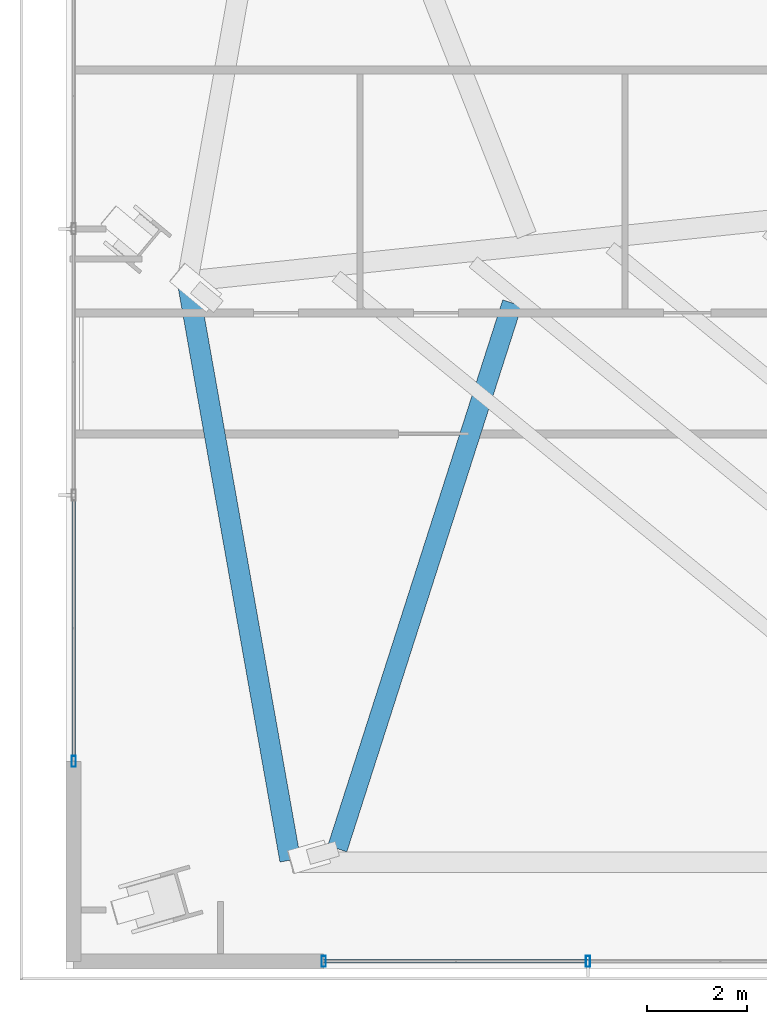
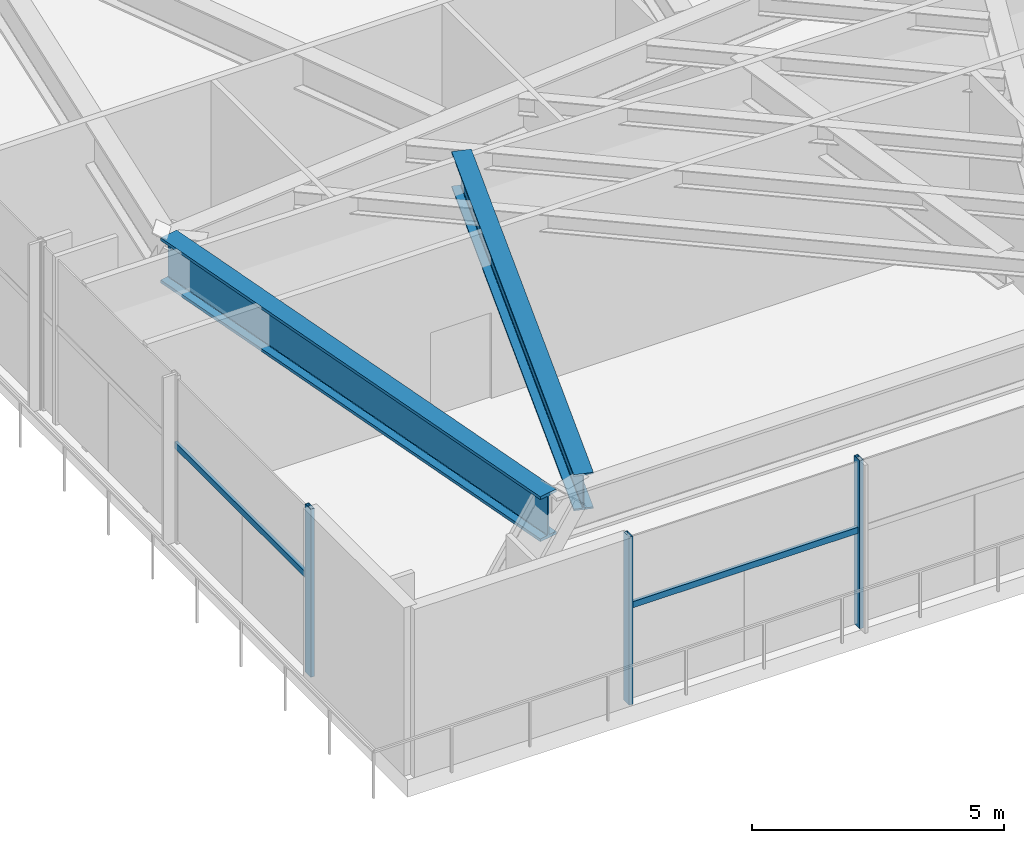
# One storey, part 2 of 29: 5 members, 2 beams, 2 elements without a shape of their own.
"""IFC4 building model written with IfcOpenShell, lengths in metres."""

import ifcopenshell
import ifcopenshell.guid

model = None  # the IFC model being written
_history = None  # IfcOwnerHistory: only IFC2X3 demands one
_inside = {}  # id of a spatial element -> (the spatial element, [elements in it])
_under = {}  # id of a project, library or spatial element -> (it, [spatial elements below it])
_declared = {}  # id of a project -> (the project, [libraries it declares])
_typed = {}  # id of a type object -> (the type object, [elements of that type])
_made_of = {}  # id of a material, layer set ... -> (it, [elements and type objects made of it])


def new_model(schema):
    """Start an empty IFC model of exactly this schema.

    Asked for "IFC4X3", IfcOpenShell would pick the latest addendum, in which some entities
    have other attributes; the version numbers below select the first issue.
    IFC2X3 requires an IfcOwnerHistory on every rooted entity: one is made here for all.
    """
    global model, _history
    if schema == "IFC4X3":
        model = ifcopenshell.file(schema_version=(4, 3, 0, 0))
    else:
        model = ifcopenshell.file(schema=schema)
    _inside.clear()
    _under.clear()
    _declared.clear()
    _typed.clear()
    _made_of.clear()
    _history = None
    if model.schema == "IFC2X3":
        org = make("IfcOrganization", Name="unknown")
        user = make(
            "IfcPersonAndOrganization",
            ThePerson=make("IfcPerson", FamilyName="unknown"),
            TheOrganization=org,
        )
        app = make(
            "IfcApplication",
            ApplicationDeveloper=org,
            Version="unknown",
            ApplicationFullName="unknown",
            ApplicationIdentifier="unknown",
        )
        _history = make(
            "IfcOwnerHistory",
            OwningUser=user,
            OwningApplication=app,
            ChangeAction="ADDED",
            CreationDate=0,
        )
    return model


def make(cls, **values):
    """One entity of the class cls with the attributes given. An attribute that is None is left unset."""
    return model.create_entity(
        cls, **{name: value for name, value in values.items() if value is not None}
    )


def rooted(cls, **values):
    """An entity with a GlobalId (a new one), such as an element, a storey or a relation."""
    return make(cls, GlobalId=ifcopenshell.guid.new(), OwnerHistory=_history, **values)


def si_unit(unit_type, name, prefix=None):
    """IfcSIUnit, for example si_unit("LENGTHUNIT", "METRE", prefix="MILLI")."""
    return make("IfcSIUnit", UnitType=unit_type, Prefix=prefix, Name=name)


def assignment(units):
    """IfcUnitAssignment: the units of a project."""
    return None if units is None else make("IfcUnitAssignment", Units=units)


def point(xyz):
    """IfcCartesianPoint."""
    return None if xyz is None else make("IfcCartesianPoint", Coordinates=xyz)


def direction(xyz):
    """IfcDirection."""
    return None if xyz is None else make("IfcDirection", DirectionRatios=xyz)


def frame(location, z_axis=None, x_axis=None):
    """IfcAxis2Placement3D, a coordinate frame: its origin and axes. An axis left out is left unset."""
    return make(
        "IfcAxis2Placement3D",
        Location=point(location),
        Axis=direction(z_axis),
        RefDirection=direction(x_axis),
    )


def frame_2d(location, x_axis=None):
    """IfcAxis2Placement2D, a coordinate frame in the plane: its origin and x axis."""
    return make(
        "IfcAxis2Placement2D", Location=point(location), RefDirection=direction(x_axis)
    )


def origin():
    """The frame at (0, 0, 0) with its axes left unset."""
    return frame((0.0, 0.0, 0.0))


def origin_2d():
    """The frame at (0, 0) in the plane with its x axis left unset."""
    return frame_2d((0.0, 0.0))


def place(relative_to, where):
    """IfcLocalPlacement: puts the frame where relative to a parent placement (None: the world)."""
    return make(
        "IfcLocalPlacement", PlacementRelTo=relative_to, RelativePlacement=where
    )


def context(
    kind, dimensions, precision=None, world=None, true_north=None, identifier=None
):
    """IfcGeometricRepresentationContext, for example the 3D "Model" context."""
    return make(
        "IfcGeometricRepresentationContext",
        ContextIdentifier=identifier,
        ContextType=kind,
        CoordinateSpaceDimension=dimensions,
        Precision=precision,
        WorldCoordinateSystem=world,
        TrueNorth=true_north,
    )


def subcontext(parent, identifier, kind, view, scale=None):
    """IfcGeometricRepresentationSubContext, for example "Body" below "Model"."""
    return make(
        "IfcGeometricRepresentationSubContext",
        ContextIdentifier=identifier,
        ContextType=kind,
        ParentContext=parent,
        TargetScale=scale,
        TargetView=view,
    )


def project(units=None, contexts=None):
    """IfcProject with its units and contexts."""
    return rooted(
        "IfcProject",
        Name="project",
        RepresentationContexts=contexts,
        UnitsInContext=assignment(units),
    )


def spatial(cls, under=None, at=None, **own):
    """A site, building, storey or space (cls), placed at a placement, below another one or the project."""
    s = rooted(cls, ObjectPlacement=at, **own)
    if under is not None:
        _under.setdefault(under.id(), (under, []))[1].append(s)
    return s


def profile(cls, at=None, kind="AREA", **sizes):
    """A parametric profile (cls). Its sizes go by their IFC names, for example OverallWidth=200.0."""
    return make(cls, ProfileType=kind, Position=at, **sizes)


def hollow_rectangle(**sizes):
    """IfcRectangleHollowProfileDef."""
    return profile("IfcRectangleHollowProfileDef", **sizes)


def i_section(**sizes):
    """IfcIShapeProfileDef."""
    return profile("IfcIShapeProfileDef", **sizes)


def extrude(swept, where, along, depth):
    """IfcExtrudedAreaSolid: the profile swept, set in the frame where, extruded along a direction by depth."""
    return make(
        "IfcExtrudedAreaSolid",
        SweptArea=swept,
        Position=where,
        ExtrudedDirection=direction(along),
        Depth=depth,
    )


def shape(context_of_items, identifier, shape_type, items):
    """IfcShapeRepresentation: the items that make up one representation, for example the "Body"."""
    return make(
        "IfcShapeRepresentation",
        ContextOfItems=context_of_items,
        RepresentationIdentifier=identifier,
        RepresentationType=shape_type,
        Items=items,
    )


def source(mapping_origin, context_of_items, identifier, shape_type, items):
    """IfcRepresentationMap: a shape defined once, which mapped items show again and again."""
    return make(
        "IfcRepresentationMap",
        MappingOrigin=mapping_origin,
        MappedRepresentation=shape(context_of_items, identifier, shape_type, items),
    )


def transform(
    local_origin,
    x_axis=None,
    y_axis=None,
    z_axis=None,
    scale=None,
    scale2=None,
    scale3=None,
    uniform=True,
):
    """IfcCartesianTransformationOperator3D, or its non-uniform kind. x_axis, y_axis, z_axis: its Axis1, 2, 3."""
    if uniform:
        return make(
            "IfcCartesianTransformationOperator3D",
            Axis1=direction(x_axis),
            Axis2=direction(y_axis),
            LocalOrigin=point(local_origin),
            Scale=scale,
            Axis3=direction(z_axis),
        )
    return make(
        "IfcCartesianTransformationOperator3DnonUniform",
        Axis1=direction(x_axis),
        Axis2=direction(y_axis),
        LocalOrigin=point(local_origin),
        Scale=scale,
        Axis3=direction(z_axis),
        Scale2=scale2,
        Scale3=scale3,
    )


def mapped(mapping_source, mapping_target):
    """IfcMappedItem: shows the shape of a source again, moved by a transform."""
    return make(
        "IfcMappedItem", MappingSource=mapping_source, MappingTarget=mapping_target
    )


def material(Name=None, Category=None):
    """IfcMaterial."""
    return make("IfcMaterial", Name=Name, Category=Category)


def material_profile(
    of_material, cross_section, Name=None, Category=None, Priority=None
):
    """IfcMaterialProfile: a cross section and its material."""
    return make(
        "IfcMaterialProfile",
        Name=Name,
        Material=of_material,
        Profile=cross_section,
        Priority=Priority,
        Category=Category,
    )


def profile_set(profiles, Name=None, composite=None):
    """IfcMaterialProfileSet."""
    return make(
        "IfcMaterialProfileSet",
        Name=Name,
        MaterialProfiles=profiles,
        CompositeProfile=composite,
    )


def made_of(thing, what):
    """Note that an element or type object is made of a material, layer set ...; save() writes the relation."""
    if what is not None:
        _made_of.setdefault(what.id(), (what, []))[1].append(thing)
    return thing


def type_object(cls, material=None, **own):
    """A type object (cls), such as IfcWallType, which elements share."""
    return made_of(rooted(cls, **own), material)


def type_shapes(of_type, sources):
    """Give a type object the sources (RepresentationMaps) that its elements show as mapped items."""
    of_type.RepresentationMaps = sources


def element(
    cls,
    number,
    at=None,
    inside=None,
    cuts=None,
    type_object=None,
    material=None,
    context=None,
    identifier="Body",
    shape_type=None,
    held_by="IfcProductDefinitionShape",
    body=None,
    shapes=None,
    **own,
):
    """One element of the class cls, such as IfcWall. Its Tag is "e" and its number.

    at: its placement. inside: the storey or other place that contains it. cuts: it is an
    opening in that element (IfcRelVoidsElement). A single representation is given by context,
    identifier, shape_type and body (its items); several are given by shapes. held_by: the class
    of the entity that holds the representations. save() writes the other relations.
    """
    e = rooted(cls, Tag="e%d" % number, ObjectPlacement=at, **own)
    if body is not None:
        shapes = [shape(context, identifier, shape_type, body)]
    if shapes is not None:
        e.Representation = make(held_by, Representations=shapes)
    if inside is not None:
        _inside.setdefault(inside.id(), (inside, []))[1].append(e)
    if cuts is not None:
        rooted(
            "IfcRelVoidsElement", RelatingBuildingElement=cuts, RelatedOpeningElement=e
        )
    if type_object is not None:
        _typed.setdefault(type_object.id(), (type_object, []))[1].append(e)
    return made_of(e, material)


def aggregate(whole, parts):
    """IfcRelAggregates: a whole, such as a stair, and the parts it consists of."""
    return rooted("IfcRelAggregates", RelatingObject=whole, RelatedObjects=parts)


def save(model, path):
    """Write the relations noted so far, then the file.

    IfcRelAggregates (storeys below a building ...), IfcRelContainedInSpatialStructure (elements
    in a storey), IfcRelDefinesByType, IfcRelAssociatesMaterial and IfcRelDeclares: one each for
    every whole, place, type object, material and project.
    """
    for whole, parts in _under.values():
        aggregate(whole, parts)
    for where, things in _inside.values():
        rooted(
            "IfcRelContainedInSpatialStructure",
            RelatedElements=things,
            RelatingStructure=where,
        )
    for kind, things in _typed.values():
        rooted("IfcRelDefinesByType", RelatedObjects=things, RelatingType=kind)
    for what, things in _made_of.values():
        rooted("IfcRelAssociatesMaterial", RelatedObjects=things, RelatingMaterial=what)
    for by, libraries in _declared.values():
        rooted("IfcRelDeclares", RelatingContext=by, RelatedDefinitions=libraries)
    model.write(path)


model = new_model("IFC4")

# Units and contexts
model_context = context("Model", 3, precision=1e-05, world=origin(), true_north=direction((0.0, 1.0)))
body_context = subcontext(model_context, "Body", "Model", "MODEL_VIEW")
ifc_project = project(units=[si_unit("LENGTHUNIT", "METRE"), si_unit("AREAUNIT", "SQUARE_METRE"), si_unit("VOLUMEUNIT", "CUBIC_METRE"), si_unit("PLANEANGLEUNIT", "RADIAN"), si_unit("MASSUNIT", "GRAM", prefix="KILO")], contexts=[model_context])

# Site, building, storey
site_placement = place(None, origin())
site = spatial("IfcSite", under=ifc_project, at=site_placement, CompositionType="ELEMENT")
building_placement = place(site_placement, origin())
building = spatial("IfcBuilding", under=site, at=building_placement, Name="Astriad Promenade Condominiums", CompositionType="ELEMENT")
storey_placement = place(building_placement, frame((0.0, 0.0, 18.5)))
storey = spatial("IfcBuildingStorey", under=building, at=storey_placement, Name="L04", CompositionType="ELEMENT", Elevation=18.5)

# Beams
ifc_material_1 = material(Name="Steel ASTM A992 Grade 50", Category="steel")
ifc_material_profile_1 = material_profile(ifc_material_1, i_section(OverallWidth=0.4169921875, OverallDepth=1.093505859375, WebThickness=0.0390625, FlangeThickness=0.070068359375, FilletRadius=0.025390625, at=origin_2d()), Name="W40X503")
ifc_profile_set_1 = profile_set([ifc_material_profile_1], Name="Steel ASTM A992 Grade 50")
beam_type_1 = type_object("IfcBeamType", Name="STEEL TRANSFER GIRDER W40X503", PredefinedType="BEAM", material=ifc_profile_set_1)
shared_shape_1 = source(origin(), body_context, "Body", "SweptSolid", [
    extrude(i_section(OverallWidth=0.4169921875, OverallDepth=1.093505859375, WebThickness=0.0390625, FlangeThickness=0.070068359375, FilletRadius=0.025390625, at=origin_2d()), origin(), (0.0, 0.0, 1.0), 11.729248046875),
])
type_shapes(beam_type_1, [shared_shape_1])
beam_1_placement = place(storey_placement, frame((6.833984375, 15.3212890625, 3.533203125), z_axis=(0.174529787656, -0.984651894438, 0.0), x_axis=(0.984651894438, 0.174529787656, 0.0)))
element("IfcBeam", 1, at=beam_1_placement, inside=storey, type_object=beam_type_1, Name="Perimeter Spandrel Beam SP-W1-L04", PredefinedType="BEAM", context=body_context, shape_type="MappedRepresentation", body=[
    mapped(shared_shape_1, transform((0.0, 0.0, 0.0), scale=1.0)),
])
ifc_material_profile_2 = material_profile(ifc_material_1, i_section(OverallWidth=0.4013671875, OverallDepth=0.877197265625, WebThickness=0.022216796875, FlangeThickness=0.039794921875, FilletRadius=0.02294921875, at=origin_2d()), Name="W33X263")
ifc_profile_set_2 = profile_set([ifc_material_profile_2], Name="Steel ASTM A992 Grade 50")
beam_type_2 = type_object("IfcBeamType", Name="STEEL TRANSFER CARRIER GIRDER W33X263", PredefinedType="BEAM", material=ifc_profile_set_2)
shared_shape_2 = source(origin(), body_context, "Body", "SweptSolid", [
    extrude(i_section(OverallWidth=0.4013671875, OverallDepth=0.877197265625, WebThickness=0.022216796875, FlangeThickness=0.039794921875, FilletRadius=0.02294921875, at=origin_2d()), origin(), (0.0, 0.0, 1.0), 11.46533203125),
])
type_shapes(beam_type_2, [shared_shape_2])
beam_2_placement = place(storey_placement, frame((13.3232421875, 14.92041015625, 3.641357421875), z_axis=(-0.305206056118, -0.952286334728, 0.0), x_axis=(0.952286334728, -0.305206056118, 0.0)))
element("IfcBeam", 2, at=beam_2_placement, inside=storey, type_object=beam_type_2, Name="Transfer Splice Carrier TRM-SP-PC01-L04", PredefinedType="BEAM", context=body_context, shape_type="MappedRepresentation", body=[
    mapped(shared_shape_2, transform((0.0, 0.0, 0.0), scale=1.0)),
])

# Curtain wall, member
ifc_material_2 = material(Name="Anodised aluminium Black Dark Glass Unitised", Category="aluminium")
curtain_wall_type = type_object("IfcCurtainWallType", Name="CW-POD-DARK", PredefinedType="USERDEFINED", material=ifc_material_2)
curtain_wall_1_placement = place(storey_placement, origin())
curtain_wall_1 = element("IfcCurtainWall", 3, at=curtain_wall_1_placement, inside=storey, type_object=curtain_wall_type, Name="CW-L04-W", ObjectType="UNITISED_CURTAIN_WALL", PredefinedType="USERDEFINED")
ifc_material_3 = material(Name="Anodised aluminium 6063-T6 Black", Category="aluminium")
ifc_material_profile_3 = material_profile(ifc_material_3, hollow_rectangle(XDim=0.0849609375, YDim=0.219970703125, WallThickness=0.0048828125, at=origin_2d()), Name="ALU-MUL-85X220")
ifc_profile_set_3 = profile_set([ifc_material_profile_3], Name="Anodised aluminium 6063-T6 Black")
member_type_1 = type_object("IfcMemberType", Name="MUL-ALU-MUL-85X220", PredefinedType="MULLION", material=ifc_profile_set_3)
shared_shape_3 = source(origin(), body_context, "Body", "SweptSolid", [
    extrude(hollow_rectangle(XDim=0.0849609375, YDim=0.219970703125, WallThickness=0.0048828125, at=origin_2d()), origin(), (0.0, 0.0, 1.0), 4.080078125),
])
type_shapes(member_type_1, [shared_shape_3])
member_1_placement = place(storey_placement, frame((4.550048828125, 5.75, 0.0), z_axis=(0.0, 0.0, 1.0), x_axis=(1.0, 0.0, 0.0)))
member_1 = element("IfcMember", 4, at=member_1_placement, type_object=member_type_1, Name="CW-L04-W-MUL-00", PredefinedType="MULLION", context=body_context, shape_type="MappedRepresentation", body=[
    mapped(shared_shape_3, transform((0.0, 0.0, 0.0), scale=1.0)),
])

# Curtain wall, members
curtain_wall_2_placement = place(storey_placement, origin())
curtain_wall_2 = element("IfcCurtainWall", 5, at=curtain_wall_2_placement, inside=storey, type_object=curtain_wall_type, Name="CW-L04-S", ObjectType="UNITISED_CURTAIN_WALL", PredefinedType="USERDEFINED")
member_2_placement = place(storey_placement, frame((14.840087890625, 1.75, 0.0), z_axis=(0.0, 0.0, 1.0), x_axis=(1.0, 0.0, 0.0)))
member_2 = element("IfcMember", 6, at=member_2_placement, type_object=member_type_1, Name="CW-L04-S-MUL-09", PredefinedType="MULLION", context=body_context, shape_type="MappedRepresentation", body=[
    mapped(shared_shape_3, transform((0.0, 0.0, 0.0), scale=1.0)),
])
member_3_placement = place(storey_placement, frame((9.550048828125, 1.75, 0.0), z_axis=(0.0, 0.0, 1.0), x_axis=(1.0, 0.0, 0.0)))
member_3 = element("IfcMember", 7, at=member_3_placement, type_object=member_type_1, Name="CW-L04-S-MUL-10", PredefinedType="MULLION", context=body_context, shape_type="MappedRepresentation", body=[
    mapped(shared_shape_3, transform((0.0, 0.0, 0.0), scale=1.0)),
])

# Member
ifc_material_profile_4 = material_profile(ifc_material_3, hollow_rectangle(XDim=0.074951171875, YDim=0.14990234375, WallThickness=0.004150390625, at=origin_2d()), Name="ALU-TRN-75X150")
ifc_profile_set_4 = profile_set([ifc_material_profile_4], Name="Anodised aluminium 6063-T6 Black")
member_type_2 = type_object("IfcMemberType", Name="TRN-ALU-TRN-75X150", PredefinedType="USERDEFINED", material=ifc_profile_set_4)
shared_shape_4 = source(origin(), body_context, "Body", "SweptSolid", [
    extrude(hollow_rectangle(XDim=0.074951171875, YDim=0.14990234375, WallThickness=0.004150390625, at=origin_2d()), origin(), (0.0, 0.0, 1.0), 5.324951171875),
])
member_4_placement = place(storey_placement, frame((4.550048828125, 5.75, 2.35009765625), z_axis=(0.0, 1.0, 0.0), x_axis=(-1.0, 0.0, 0.0)))
member_4 = element("IfcMember", 8, at=member_4_placement, type_object=member_type_2, Name="CW-L04-W-TRN-00-0", ObjectType="TRANSOM", PredefinedType="USERDEFINED", context=body_context, shape_type="MappedRepresentation", body=[
    mapped(shared_shape_4, transform((0.0, 0.0, 0.0), scale=1.0)),
])

aggregate(curtain_wall_1, [member_1, member_4])

shared_shape_5 = source(origin(), body_context, "Body", "SweptSolid", [
    extrude(hollow_rectangle(XDim=0.074951171875, YDim=0.14990234375, WallThickness=0.004150390625, at=origin_2d()), origin(), (0.0, 0.0, 1.0), 5.2900390625),
])
type_shapes(member_type_2, [shared_shape_4, shared_shape_5])
member_5_placement = place(storey_placement, frame((14.840087890625, 1.75, 2.35009765625), z_axis=(-1.0, 0.0, 0.0), x_axis=(0.0, -1.0, 0.0)))
member_5 = element("IfcMember", 9, at=member_5_placement, type_object=member_type_2, Name="CW-L04-S-TRN-09-0", ObjectType="TRANSOM", PredefinedType="USERDEFINED", context=body_context, shape_type="MappedRepresentation", body=[
    mapped(shared_shape_5, transform((0.0, 0.0, 0.0), scale=1.0)),
])

aggregate(curtain_wall_2, [member_2, member_3, member_5])

save(model, "model.ifc")
